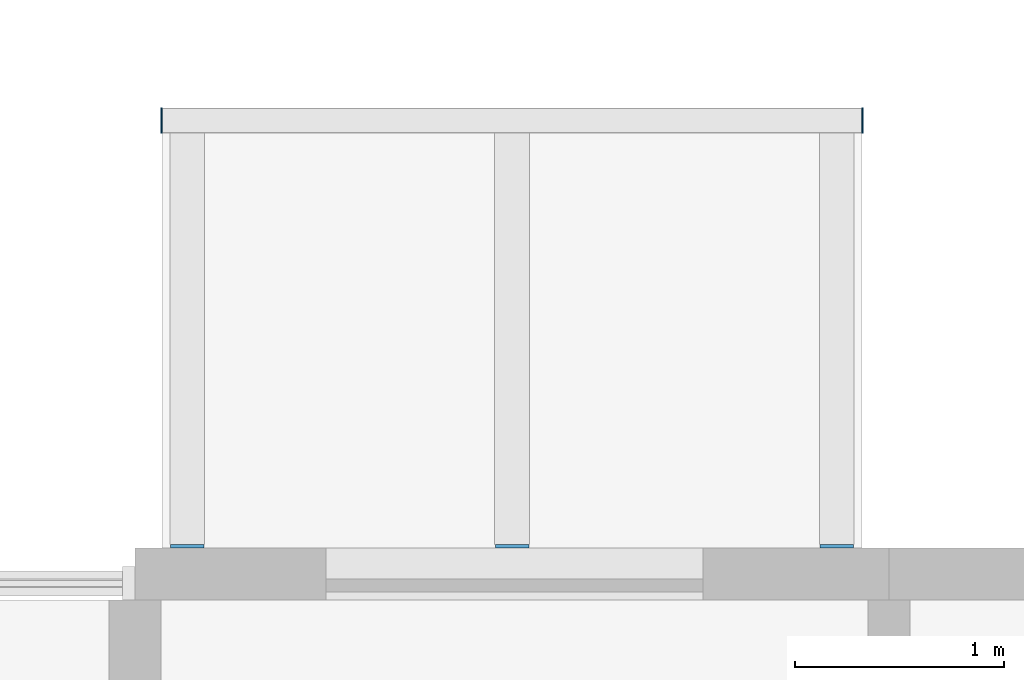
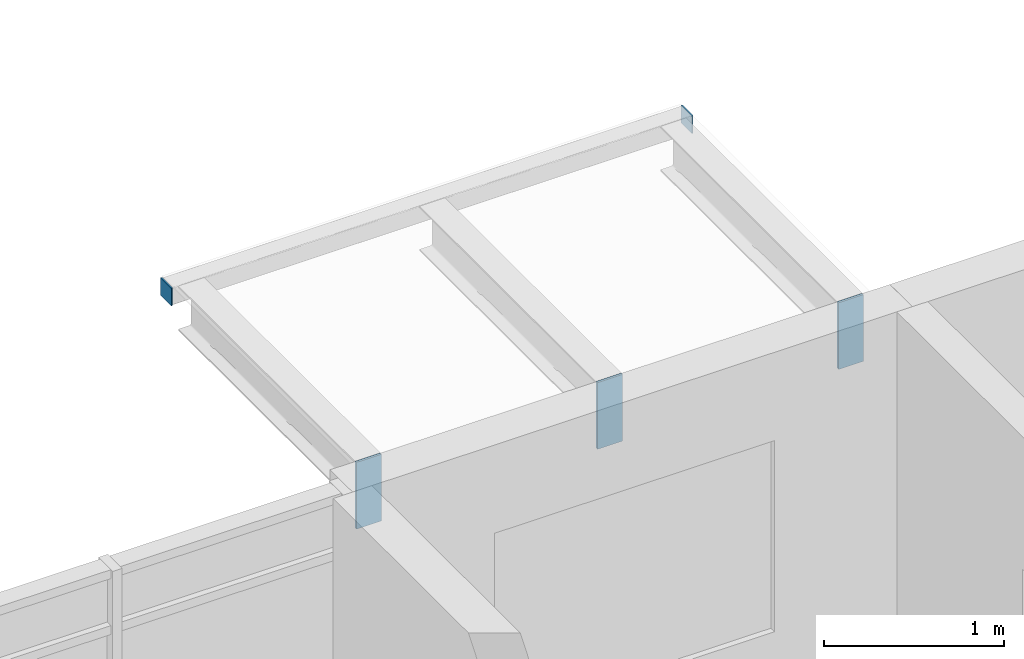
# One storey, part 47 of 64: 5 discrete accessories.
"""IFC4 building model written with IfcOpenShell, lengths in metres."""

from ifc_helpers import new_model, si_unit, direction, frame, origin, origin_2d, place, context, subcontext, project, spatial, rectangle, extrude, material, layer, layer_set, type_object, element, save


model = new_model("IFC4")

# Units and contexts
model_context = context("Model", 3, precision=1e-05, world=origin(), true_north=direction((0.0, 1.0)))
body_context = subcontext(model_context, "Body", "Model", "MODEL_VIEW")
ifc_project = project(units=[si_unit("LENGTHUNIT", "METRE"), si_unit("AREAUNIT", "SQUARE_METRE"), si_unit("VOLUMEUNIT", "CUBIC_METRE"), si_unit("PLANEANGLEUNIT", "RADIAN"), si_unit("MASSUNIT", "GRAM", prefix="KILO")], contexts=[model_context])

# Site, building, storey
site_placement = place(None, origin())
site = spatial("IfcSite", under=ifc_project, at=site_placement, CompositionType="ELEMENT")
building_placement = place(site_placement, origin())
building = spatial("IfcBuilding", under=site, at=building_placement, Name="Ridgestep Commons", CompositionType="ELEMENT")
storey_placement = place(building_placement, frame((0.0, 0.0, 33.0)))
storey = spatial("IfcBuildingStorey", under=building, at=storey_placement, Name="L11", CompositionType="ELEMENT", Elevation=33.0)

# Discrete accessories
ifc_material_1 = material(Name="Weathering steel S355J2W", Category="steel")
ifc_layer_1 = layer(ifc_material_1, 0.014892578125)
ifc_layer_set_1 = layer_set([ifc_layer_1], Name="Tray bracket plate 15")
discrete_accessory_type_1 = type_object("IfcDiscreteAccessoryType", Name="Tray bracket plate 15", PredefinedType="BRACKET", material=ifc_layer_set_1)
for number, where, z_axis, x_axis, name in (
    (1, (237.050048828125, 23.007568359375, 2.53662109375), (0.0, 0.0, 1.0), (1.0, 0.0, 0.0), "Tray bracket D6T3-12.1"),
    (2, (238.60009765625, 23.007568359375, 2.53662109375), (0.0, 0.0, 1.0), (1.0, 0.0, 0.0), "Tray bracket D6T3-12.2"),
    (3, (240.14990234375, 23.007568359375, 2.53662109375), (0.0, 0.0, 1.0), (1.0, 0.0, 0.0), "Tray bracket D6T3-12.3"),
):
    element("IfcDiscreteAccessory", number, at=place(storey_placement, frame(where, z_axis=z_axis, x_axis=x_axis)), inside=storey, type_object=discrete_accessory_type_1, Name=name, PredefinedType="BRACKET", context=body_context, shape_type="SweptSolid", body=[
        extrude(rectangle(XDim=0.159912109375, YDim=0.014892578125, at=origin_2d()), origin(), (0.0, 0.0, 1.0), 0.453369140625),
    ])
ifc_material_2 = material(Name="Weathering steel S355J2W", Category="steel")
ifc_layer_2 = layer(ifc_material_2, 0.008056640625)
ifc_layer_set_2 = layer_set([ifc_layer_2], Name="Tray edge member end plate 120 x 120 x 8")
discrete_accessory_type_2 = type_object("IfcDiscreteAccessoryType", Name="Tray edge member end plate 120 x 120 x 8", PredefinedType="BRACKET", material=ifc_layer_set_2)
for number, where, z_axis, x_axis, name in (
    (4, (236.926025390625, 25.0400390625, 2.869873046875), (0.0, 0.0, 1.0), (1.0, 0.0, 0.0), "Tray edge member end plate D6T3-12 west"),
    (5, (240.27392578125, 25.0400390625, 2.869873046875), (0.0, 0.0, 1.0), (1.0, 0.0, 0.0), "Tray edge member end plate D6T3-12 east"),
):
    element("IfcDiscreteAccessory", number, at=place(storey_placement, frame(where, z_axis=z_axis, x_axis=x_axis)), inside=storey, type_object=discrete_accessory_type_2, Name=name, PredefinedType="BRACKET", context=body_context, shape_type="SweptSolid", body=[
        extrude(rectangle(XDim=0.008056640625, YDim=0.1201171875, at=origin_2d()), origin(), (0.0, 0.0, 1.0), 0.1201171875),
    ])

save(model, "model.ifc")
